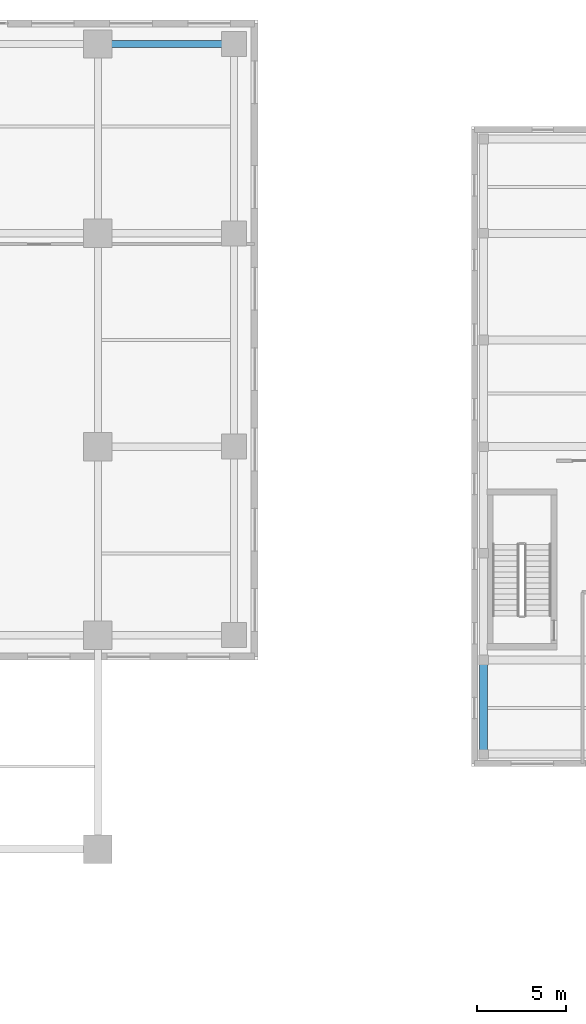
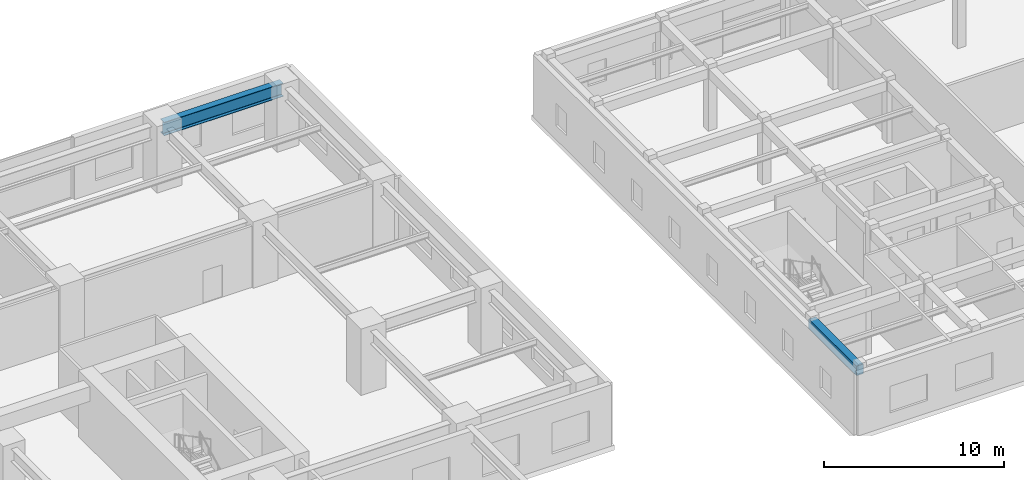
# One storey, part 9 of 26: 2 beams.
"""IFC4 building model written with IfcOpenShell, lengths in metres."""

from ifc_helpers import new_model, si_unit, direction, frame, origin, origin_2d, place, context, subcontext, project, spatial, rectangle, i_section, extrude, source, transform, mapped, material, material_profile, profile_set, type_object, element, save


model = new_model("IFC4")

# Units and contexts
model_context = context("Model", 3, precision=1e-05, world=origin(), true_north=direction((0.0, 1.0)))
body_context = subcontext(model_context, "Body", "Model", "MODEL_VIEW")
ifc_project = project(units=[si_unit("LENGTHUNIT", "METRE"), si_unit("AREAUNIT", "SQUARE_METRE"), si_unit("VOLUMEUNIT", "CUBIC_METRE"), si_unit("PLANEANGLEUNIT", "RADIAN"), si_unit("MASSUNIT", "GRAM", prefix="KILO")], contexts=[model_context])

# Site, building, storey
site_placement = place(None, origin())
site = spatial("IfcSite", under=ifc_project, at=site_placement, CompositionType="ELEMENT")
building_placement = place(site_placement, origin())
building = spatial("IfcBuilding", under=site, at=building_placement, Name="Khoralis Quay Care Tower", CompositionType="ELEMENT")
storey_placement = place(building_placement, frame((0.0, 0.0, 13.5)))
storey = spatial("IfcBuildingStorey", under=building, at=storey_placement, Name="L03", CompositionType="ELEMENT", Elevation=13.5)

# Beams
ifc_material_1 = material(Name="Steel S355", Category="steel")
ifc_material_profile_1 = material_profile(ifc_material_1, i_section(OverallWidth=0.41796875, OverallDepth=0.912109375, WebThickness=0.019287109375, FlangeThickness=0.031982421875, FilletRadius=0.02392578125, at=origin_2d()), Name="Steel S355")
ifc_profile_set_1 = profile_set([ifc_material_profile_1], Name="Steel S355")
beam_type_1 = type_object("IfcBeamType", Name="BM-W920X342", PredefinedType="BEAM", material=ifc_profile_set_1)
shared_shape_1 = source(origin(), body_context, "Body", "SweptSolid", [
    extrude(i_section(OverallWidth=0.41796875, OverallDepth=0.912109375, WebThickness=0.019287109375, FlangeThickness=0.031982421875, FilletRadius=0.02392578125, at=origin_2d()), origin(), (0.0, 0.0, 1.0), 7.64990234375),
])
beam_1_placement = place(storey_placement, frame((47.0, 46.64990234375, 3.7041015625), z_axis=(1.0, 0.0, 0.0), x_axis=(0.0, 1.0, 0.0)))
element("IfcBeam", 1, at=beam_1_placement, inside=storey, type_object=beam_type_1, Name="BM-PODX-L03-23", PredefinedType="BEAM", context=body_context, shape_type="MappedRepresentation", body=[
    mapped(shared_shape_1, transform((0.0, 0.0, 0.0), scale=1.0)),
])
ifc_material_2 = material(Name="Concrete C40/50", Category="concrete")
ifc_material_profile_2 = material_profile(ifc_material_2, rectangle(XDim=0.449951171875, YDim=0.64990234375, at=origin_2d()), Name="Concrete C40/50")
ifc_profile_set_2 = profile_set([ifc_material_profile_2], Name="Concrete C40/50")
beam_type_2 = type_object("IfcBeamType", Name="BM-RC450X650", PredefinedType="BEAM", material=ifc_profile_set_2)
shared_shape_2 = source(origin(), body_context, "Body", "SweptSolid", [
    extrude(rectangle(XDim=0.449951171875, YDim=0.64990234375, at=origin_2d()), origin(), (0.0, 0.0, 1.0), 5.300048828125),
])
beam_2_placement = place(storey_placement, frame((68.699951171875, 6.699951171875, 3.875), z_axis=(0.0, 1.0, 0.0), x_axis=(-1.0, 0.0, 0.0)))
element("IfcBeam", 2, at=beam_2_placement, inside=storey, type_object=beam_type_2, Name="BM-SCY-L03-24", PredefinedType="BEAM", context=body_context, shape_type="MappedRepresentation", body=[
    mapped(shared_shape_2, transform((0.0, 0.0, 0.0), scale=1.0)),
])

save(model, "model.ifc")
